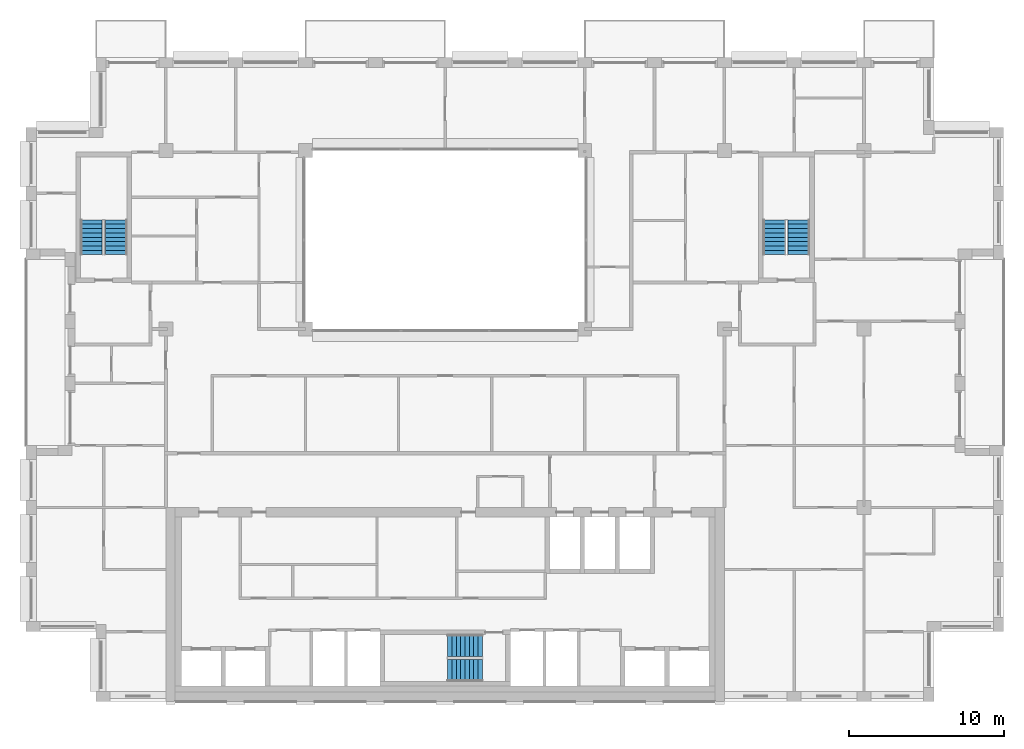
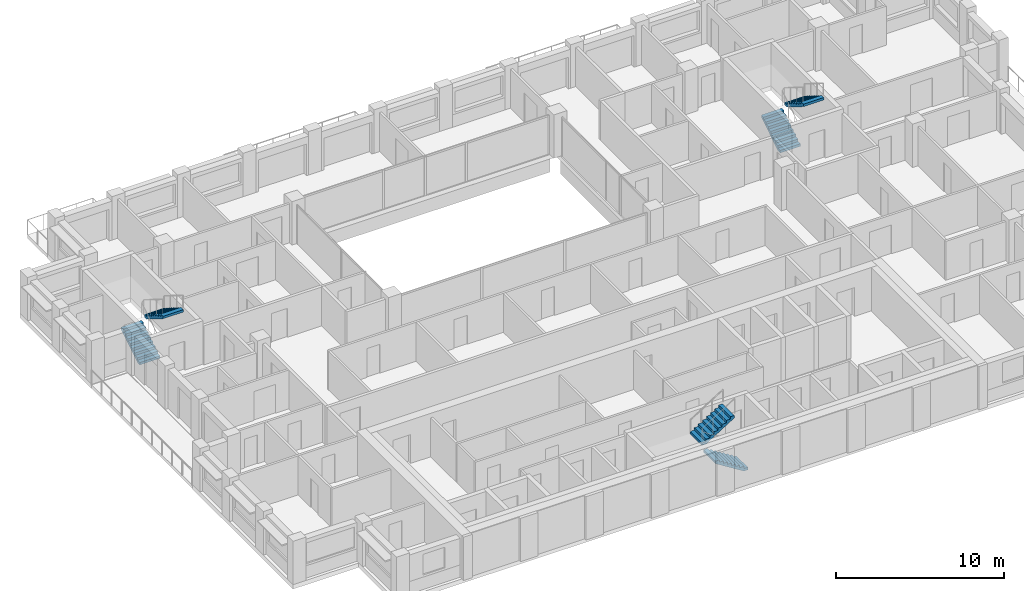
# One storey, part 15 of 16: 6 stair flights, 3 elements without a shape of their own.
"""IFC4 building model written with IfcOpenShell, lengths in metres."""

from ifc_helpers import new_model, si_unit, direction, frame, origin, place, context, subcontext, project, spatial, polyline, outline, extrude, material, type_object, element, aggregate, save


model = new_model("IFC4")

# Units and contexts
model_context = context("Model", 3, precision=1e-05, world=origin(), true_north=direction((0.0, 1.0)))
body_context = subcontext(model_context, "Body", "Model", "MODEL_VIEW")
ifc_project = project(units=[si_unit("LENGTHUNIT", "METRE"), si_unit("AREAUNIT", "SQUARE_METRE"), si_unit("VOLUMEUNIT", "CUBIC_METRE"), si_unit("PLANEANGLEUNIT", "RADIAN"), si_unit("MASSUNIT", "GRAM", prefix="KILO")], contexts=[model_context])

# Site, building, storey
site_placement = place(None, origin())
site = spatial("IfcSite", under=ifc_project, at=site_placement, CompositionType="ELEMENT")
building_placement = place(site_placement, origin())
building = spatial("IfcBuilding", under=site, at=building_placement, Name="Brigalow Station Residences", CompositionType="ELEMENT")
storey_placement = place(building_placement, frame((0.0, 0.0, 201.14990234375)))
storey = spatial("IfcBuildingStorey", under=building, at=storey_placement, Name="L57", CompositionType="ELEMENT", Elevation=201.14990234375)

# Stair, stair flights
ifc_material_1 = material(Name="Concrete C50", Category="concrete")
stair_type = type_object("IfcStairType", Name="EXIT STAIR 1400 2 FLIGHT", PredefinedType="HALF_TURN_STAIR", material=ifc_material_1)
stair_1_placement = place(storey_placement, origin())
stair_1 = element("IfcStair", 1, at=stair_1_placement, inside=storey, type_object=stair_type, Name="EXIT STAIR S2 L57", PredefinedType="HALF_TURN_STAIR")
ifc_material_2 = material(Name="Concrete C50", Category="concrete")
stair_flight_type = type_object("IfcStairFlightType", Name="STAIR FLIGHT 1400", PredefinedType="STRAIGHT", material=ifc_material_2)
stair_flight_1_placement = place(storey_placement, frame((38.39990234375, 2.0, 0.0), z_axis=(0.0, 0.0, 1.0), x_axis=(-1.0, 0.0, 0.0)))
stair_flight_1 = element("IfcStairFlight", 2, at=stair_flight_1_placement, type_object=stair_flight_type, Name="ST-2 flight 1", NumberOfRisers=9, NumberOfTreads=8, PredefinedType="STRAIGHT", RiserHeight=0.175, TreadLength=0.28, context=body_context, shape_type="SweptSolid", body=[
    extrude(outline(polyline([(0.0, 0.0), (0.0, 0.175048828125), (0.280029296875, 0.175048828125), (0.280029296875, 0.35009765625), (0.56005859375, 0.35009765625), (0.56005859375, 0.52490234375), (0.840087890625, 0.52490234375), (0.840087890625, 0.699951171875), (1.1201171875, 0.699951171875), (1.1201171875, 0.875), (1.39990234375, 0.875), (1.39990234375, 1.050048828125), (1.679931640625, 1.050048828125), (1.679931640625, 1.22509765625), (1.9599609375, 1.22509765625), (1.9599609375, 1.39990234375), (2.239990234375, 1.39990234375), (2.239990234375, 1.574951171875), (2.239990234375, 1.22314453125), (0.28271484375, 0.0), (0.0, 0.0)])), frame((0.0, 0.699951171875, 0.0), z_axis=(0.0, -1.0, 0.0), x_axis=(1.0, 0.0, 0.0)), (0.0, 0.0, 1.0), 1.39990234375),
])
stair_flight_2_placement = place(storey_placement, frame((36.159912109375, 3.60009765625, 1.5751953125), z_axis=(0.0, 0.0, 1.0), x_axis=(1.0, 0.0, 0.0)))
stair_flight_2 = element("IfcStairFlight", 3, at=stair_flight_2_placement, type_object=stair_flight_type, Name="ST-2 flight 2", NumberOfRisers=9, NumberOfTreads=8, PredefinedType="STRAIGHT", RiserHeight=0.175, TreadLength=0.28, context=body_context, shape_type="SweptSolid", body=[
    extrude(outline(polyline([(0.0, 0.0), (0.0, 0.175048828125), (0.280029296875, 0.175048828125), (0.280029296875, 0.35009765625), (0.56005859375, 0.35009765625), (0.56005859375, 0.52490234375), (0.840087890625, 0.52490234375), (0.840087890625, 0.699951171875), (1.1201171875, 0.699951171875), (1.1201171875, 0.875), (1.39990234375, 0.875), (1.39990234375, 1.050048828125), (1.679931640625, 1.050048828125), (1.679931640625, 1.22509765625), (1.9599609375, 1.22509765625), (1.9599609375, 1.39990234375), (2.239990234375, 1.39990234375), (2.239990234375, 1.574951171875), (2.239990234375, 1.22314453125), (0.28271484375, 0.0), (0.0, 0.0)])), frame((0.0, 0.699951171875, 0.0), z_axis=(0.0, -1.0, 0.0), x_axis=(1.0, 0.0, 0.0)), (0.0, 0.0, 1.0), 1.39990234375),
])
aggregate(stair_1, [stair_flight_1, stair_flight_2])

stair_2_placement = place(storey_placement, origin())
stair_2 = element("IfcStair", 4, at=stair_2_placement, inside=storey, type_object=stair_type, Name="EXIT STAIR S1 L57", PredefinedType="HALF_TURN_STAIR")
stair_flight_3_placement = place(storey_placement, frame((13.199951171875, 28.800048828125, 0.0), z_axis=(0.0, 0.0, 1.0), x_axis=(0.0, 1.0, 0.0)))
stair_flight_3 = element("IfcStairFlight", 5, at=stair_flight_3_placement, type_object=stair_flight_type, Name="ST-1 flight 1", NumberOfRisers=9, NumberOfTreads=8, PredefinedType="STRAIGHT", RiserHeight=0.175, TreadLength=0.28, context=body_context, shape_type="SweptSolid", body=[
    extrude(outline(polyline([(0.0, 0.0), (0.0, 0.175048828125), (0.280029296875, 0.175048828125), (0.280029296875, 0.35009765625), (0.56005859375, 0.35009765625), (0.56005859375, 0.52490234375), (0.840087890625, 0.52490234375), (0.840087890625, 0.699951171875), (1.1201171875, 0.699951171875), (1.1201171875, 0.875), (1.39990234375, 0.875), (1.39990234375, 1.050048828125), (1.679931640625, 1.050048828125), (1.679931640625, 1.22509765625), (1.9599609375, 1.22509765625), (1.9599609375, 1.39990234375), (2.239990234375, 1.39990234375), (2.239990234375, 1.574951171875), (2.239990234375, 1.22314453125), (0.28271484375, 0.0), (0.0, 0.0)])), frame((0.0, 0.699951171875, 0.0), z_axis=(0.0, -1.0, 0.0), x_axis=(1.0, 0.0, 0.0)), (0.0, 0.0, 1.0), 1.39990234375),
])
stair_flight_4_placement = place(storey_placement, frame((14.800048828125, 31.0400390625, 1.5751953125), z_axis=(0.0, 0.0, 1.0), x_axis=(0.0, -1.0, 0.0)))
stair_flight_4 = element("IfcStairFlight", 6, at=stair_flight_4_placement, type_object=stair_flight_type, Name="ST-1 flight 2", NumberOfRisers=9, NumberOfTreads=8, PredefinedType="STRAIGHT", RiserHeight=0.175, TreadLength=0.28, context=body_context, shape_type="SweptSolid", body=[
    extrude(outline(polyline([(0.0, 0.0), (0.0, 0.175048828125), (0.280029296875, 0.175048828125), (0.280029296875, 0.35009765625), (0.56005859375, 0.35009765625), (0.56005859375, 0.52490234375), (0.840087890625, 0.52490234375), (0.840087890625, 0.699951171875), (1.1201171875, 0.699951171875), (1.1201171875, 0.875), (1.39990234375, 0.875), (1.39990234375, 1.050048828125), (1.679931640625, 1.050048828125), (1.679931640625, 1.22509765625), (1.9599609375, 1.22509765625), (1.9599609375, 1.39990234375), (2.239990234375, 1.39990234375), (2.239990234375, 1.574951171875), (2.239990234375, 1.22314453125), (0.28271484375, 0.0), (0.0, 0.0)])), frame((0.0, 0.699951171875, 0.0), z_axis=(0.0, -1.0, 0.0), x_axis=(1.0, 0.0, 0.0)), (0.0, 0.0, 1.0), 1.39990234375),
])
aggregate(stair_2, [stair_flight_3, stair_flight_4])

stair_3_placement = place(storey_placement, origin())
stair_3 = element("IfcStair", 7, at=stair_3_placement, inside=storey, type_object=stair_type, Name="EXIT STAIR S3 L57", PredefinedType="HALF_TURN_STAIR")
stair_flight_5_placement = place(storey_placement, frame((57.199951171875, 28.800048828125, 0.0), z_axis=(0.0, 0.0, 1.0), x_axis=(0.0, 1.0, 0.0)))
stair_flight_5 = element("IfcStairFlight", 8, at=stair_flight_5_placement, type_object=stair_flight_type, Name="ST-3 flight 1", NumberOfRisers=9, NumberOfTreads=8, PredefinedType="STRAIGHT", RiserHeight=0.175, TreadLength=0.28, context=body_context, shape_type="SweptSolid", body=[
    extrude(outline(polyline([(0.0, 0.0), (0.0, 0.175048828125), (0.280029296875, 0.175048828125), (0.280029296875, 0.35009765625), (0.56005859375, 0.35009765625), (0.56005859375, 0.52490234375), (0.840087890625, 0.52490234375), (0.840087890625, 0.699951171875), (1.1201171875, 0.699951171875), (1.1201171875, 0.875), (1.39990234375, 0.875), (1.39990234375, 1.050048828125), (1.679931640625, 1.050048828125), (1.679931640625, 1.22509765625), (1.9599609375, 1.22509765625), (1.9599609375, 1.39990234375), (2.239990234375, 1.39990234375), (2.239990234375, 1.574951171875), (2.239990234375, 1.22314453125), (0.28271484375, 0.0), (0.0, 0.0)])), frame((0.0, 0.699951171875, 0.0), z_axis=(0.0, -1.0, 0.0), x_axis=(1.0, 0.0, 0.0)), (0.0, 0.0, 1.0), 1.39990234375),
])
stair_flight_6_placement = place(storey_placement, frame((58.800048828125, 31.0400390625, 1.5751953125), z_axis=(0.0, 0.0, 1.0), x_axis=(0.0, -1.0, 0.0)))
stair_flight_6 = element("IfcStairFlight", 9, at=stair_flight_6_placement, type_object=stair_flight_type, Name="ST-3 flight 2", NumberOfRisers=9, NumberOfTreads=8, PredefinedType="STRAIGHT", RiserHeight=0.175, TreadLength=0.28, context=body_context, shape_type="SweptSolid", body=[
    extrude(outline(polyline([(0.0, 0.0), (0.0, 0.175048828125), (0.280029296875, 0.175048828125), (0.280029296875, 0.35009765625), (0.56005859375, 0.35009765625), (0.56005859375, 0.52490234375), (0.840087890625, 0.52490234375), (0.840087890625, 0.699951171875), (1.1201171875, 0.699951171875), (1.1201171875, 0.875), (1.39990234375, 0.875), (1.39990234375, 1.050048828125), (1.679931640625, 1.050048828125), (1.679931640625, 1.22509765625), (1.9599609375, 1.22509765625), (1.9599609375, 1.39990234375), (2.239990234375, 1.39990234375), (2.239990234375, 1.574951171875), (2.239990234375, 1.22314453125), (0.28271484375, 0.0), (0.0, 0.0)])), frame((0.0, 0.699951171875, 0.0), z_axis=(0.0, -1.0, 0.0), x_axis=(1.0, 0.0, 0.0)), (0.0, 0.0, 1.0), 1.39990234375),
])
aggregate(stair_3, [stair_flight_5, stair_flight_6])

save(model, "model.ifc")
